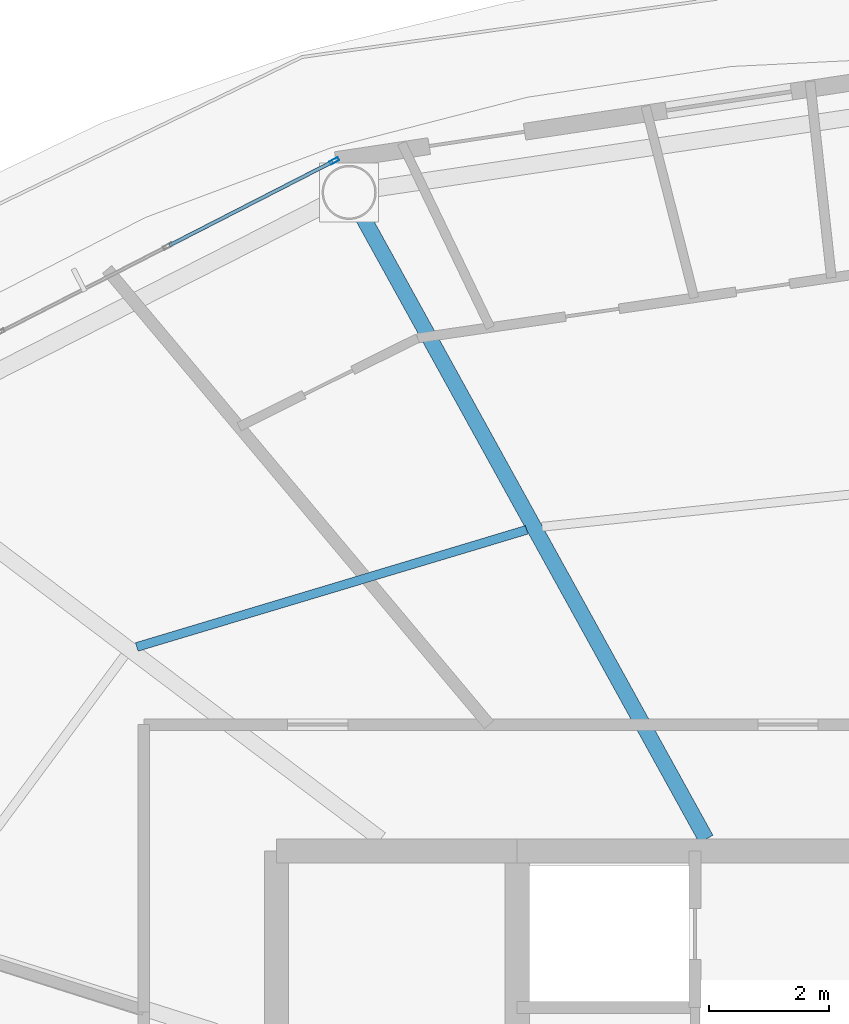
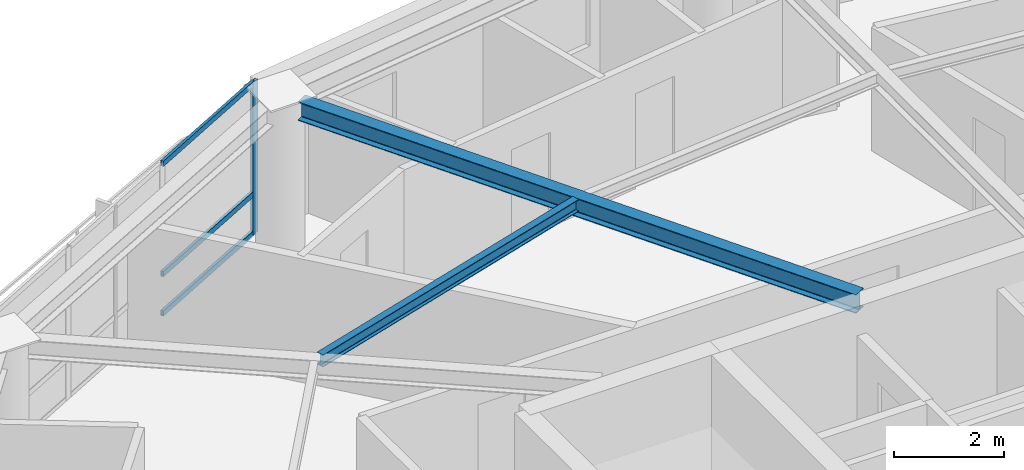
# One storey, part 9 of 23: 4 members, 2 beams, 1 element without a shape of its own.
"""IFC4 building model written with IfcOpenShell, lengths in metres."""

from ifc_helpers import new_model, si_unit, direction, frame, origin, origin_2d, place, context, subcontext, project, spatial, hollow_rectangle, i_section, extrude, material, layer, layer_set, material_profile, profile_set, type_object, element, aggregate, save


model = new_model("IFC4")

# Units and contexts
model_context = context("Model", 3, precision=1e-05, world=origin(), true_north=direction((0.0, 1.0)))
body_context = subcontext(model_context, "Body", "Model", "MODEL_VIEW")
ifc_project = project(units=[si_unit("LENGTHUNIT", "METRE"), si_unit("AREAUNIT", "SQUARE_METRE"), si_unit("VOLUMEUNIT", "CUBIC_METRE"), si_unit("PLANEANGLEUNIT", "RADIAN"), si_unit("MASSUNIT", "GRAM", prefix="KILO")], contexts=[model_context])

# Site, building, storey
site_placement = place(None, origin())
site = spatial("IfcSite", under=ifc_project, at=site_placement, CompositionType="ELEMENT")
building_placement = place(site_placement, origin())
building = spatial("IfcBuilding", under=site, at=building_placement, Name="Sarneth Arch Tower", CompositionType="ELEMENT")
storey_placement = place(building_placement, frame((0.0, 0.0, 262.199951171875)))
storey = spatial("IfcBuildingStorey", under=building, at=storey_placement, Name="L67", CompositionType="ELEMENT", Elevation=262.199951171875)

# Beams
ifc_material_1 = material(Name="Steel S355", Category="steel")
ifc_material_profile_1 = material_profile(ifc_material_1, i_section(OverallWidth=0.14794921875, OverallDepth=0.26611328125, WebThickness=0.007568359375, FlangeThickness=0.012939453125, FilletRadius=0.012939453125, at=origin_2d()), Name="W250x44.8")
ifc_profile_set_1 = profile_set([ifc_material_profile_1], Name="Steel S355")
beam_type_1 = type_object("IfcBeamType", Name="BM-JOIST-250", PredefinedType="JOIST", material=ifc_profile_set_1)
beam_1_placement = place(storey_placement, frame((41.156982421875, 54.134765625, 3.237060546875), z_axis=(-0.957726833296, -0.287679183787, 0.0), x_axis=(0.287679183787, -0.957726833296, 0.0)))
element("IfcBeam", 1, at=beam_1_placement, inside=storey, type_object=beam_type_1, Name="L67 Secondary floor joist 06", PredefinedType="JOIST", context=body_context, shape_type="SweptSolid", body=[
    extrude(i_section(OverallWidth=0.14794921875, OverallDepth=0.26611328125, WebThickness=0.007568359375, FlangeThickness=0.012939453125, FilletRadius=0.012939453125, at=origin_2d()), origin(), (0.0, 0.0, 1.0), 6.760498046875),
])
ifc_material_2 = material(Name="Steel S355", Category="steel")
ifc_material_profile_2 = material_profile(ifc_material_2, i_section(OverallWidth=0.260009765625, OverallDepth=0.4150390625, WebThickness=0.010009765625, FlangeThickness=0.016845703125, FilletRadius=0.01611328125, at=origin_2d()), Name="W410x100")
ifc_profile_set_2 = profile_set([ifc_material_profile_2], Name="Steel S355")
beam_type_2 = type_object("IfcBeamType", Name="BM-RAD-410A", PredefinedType="BEAM", material=ifc_profile_set_2)
beam_2_placement = place(storey_placement, frame((44.13623046875, 49.0, 3.16259765625), z_axis=(-0.483218265038, 0.875499919094, 0.0), x_axis=(-0.875499919094, -0.483218265038, 0.0)))
element("IfcBeam", 2, at=beam_2_placement, inside=storey, type_object=beam_type_2, Name="L67 Radial floor girder 06", PredefinedType="BEAM", context=body_context, shape_type="SweptSolid", body=[
    extrude(i_section(OverallWidth=0.260009765625, OverallDepth=0.4150390625, WebThickness=0.010009765625, FlangeThickness=0.016845703125, FilletRadius=0.01611328125, at=origin_2d()), origin(), (0.0, 0.0, 1.0), 11.8154296875),
])

# Curtain wall, members
ifc_material_3 = material(Name="Anodised aluminium Type AA25 and solar-control low-e laminated IGU", Category="aluminium")
ifc_layer = layer(ifc_material_3, 0.179931640625)
ifc_layer_set = layer_set([ifc_layer], Name="Anodised aluminium Type AA25 and solar-control low-e laminated IGU")
curtain_wall_type = type_object("IfcCurtainWallType", Name="CW-RES-HIGH", PredefinedType="NOTDEFINED", material=ifc_layer_set)
curtain_wall_placement = place(storey_placement, origin())
curtain_wall = element("IfcCurtainWall", 3, at=curtain_wall_placement, inside=storey, type_object=curtain_wall_type, Name="L67 Unitised curtain wall facet 06", PredefinedType="NOTDEFINED")
ifc_material_4 = material(Name="Anodised Aluminium 6063-T6", Category="aluminium")
ifc_material_profile_3 = material_profile(ifc_material_4, hollow_rectangle(XDim=0.06005859375, YDim=0.159912109375, WallThickness=0.00390625, at=origin_2d()), Name="AL-MULL-160x60x4")
ifc_profile_set_3 = profile_set([ifc_material_profile_3], Name="Anodised Aluminium 6063-T6")
member_type_1 = type_object("IfcMemberType", Name="CW-MULLION", PredefinedType="MULLION", material=ifc_profile_set_3)
member_1_placement = place(storey_placement, frame((37.960693359375, 60.2607421875, 0.0), z_axis=(0.0, 0.0, 1.0), x_axis=(0.455941901753, -0.890009540525, 0.0)))
member_1 = element("IfcMember", 4, at=member_1_placement, type_object=member_type_1, Name="CW-SYS-6 mullion 1", PredefinedType="MULLION", context=body_context, shape_type="SweptSolid", body=[
    extrude(hollow_rectangle(XDim=0.06005859375, YDim=0.159912109375, WallThickness=0.00390625, at=origin_2d()), origin(), (0.0, 0.0, 1.0), 3.3701171875),
])
ifc_material_5 = material(Name="Anodised Aluminium 6063-T6", Category="aluminium")
ifc_material_profile_4 = material_profile(ifc_material_5, hollow_rectangle(XDim=0.06005859375, YDim=0.1201171875, WallThickness=0.00390625, at=origin_2d()), Name="AL-TRAN-120x60x4")
ifc_profile_set_4 = profile_set([ifc_material_profile_4], Name="Anodised Aluminium 6063-T6")
member_type_2 = type_object("IfcMemberType", Name="CW-TRANSOM", PredefinedType="USERDEFINED", material=ifc_profile_set_4)
member_2_placement = place(storey_placement, frame((37.933837890625, 60.2470703125, 0.030029296875), z_axis=(-0.889973523166, -0.456012201662, 0.0), x_axis=(0.456012201662, -0.889973523166, 0.0)))
member_2 = element("IfcMember", 5, at=member_2_placement, type_object=member_type_2, Name="CW-SYS-6 transom 1.1", ObjectType="TRANSOM", PredefinedType="USERDEFINED", context=body_context, shape_type="SweptSolid", body=[
    extrude(hollow_rectangle(XDim=0.06005859375, YDim=0.1201171875, WallThickness=0.00390625, at=origin_2d()), origin(), (0.0, 0.0, 1.0), 3.044677734375),
])
member_3_placement = place(storey_placement, frame((37.933837890625, 60.2470703125, 0.900146484375), z_axis=(-0.889973523166, -0.456012201662, 0.0), x_axis=(0.456012201662, -0.889973523166, 0.0)))
member_3 = element("IfcMember", 6, at=member_3_placement, type_object=member_type_2, Name="CW-SYS-6 transom 1.2", ObjectType="TRANSOM", PredefinedType="USERDEFINED", context=body_context, shape_type="SweptSolid", body=[
    extrude(hollow_rectangle(XDim=0.06005859375, YDim=0.1201171875, WallThickness=0.00390625, at=origin_2d()), origin(), (0.0, 0.0, 1.0), 3.044677734375),
])
member_4_placement = place(storey_placement, frame((37.933837890625, 60.2470703125, 3.340087890625), z_axis=(-0.889973523166, -0.456012201662, 0.0), x_axis=(0.456012201662, -0.889973523166, 0.0)))
member_4 = element("IfcMember", 7, at=member_4_placement, type_object=member_type_2, Name="CW-SYS-6 transom 1.3", ObjectType="TRANSOM", PredefinedType="USERDEFINED", context=body_context, shape_type="SweptSolid", body=[
    extrude(hollow_rectangle(XDim=0.06005859375, YDim=0.1201171875, WallThickness=0.00390625, at=origin_2d()), origin(), (0.0, 0.0, 1.0), 3.044677734375),
])
aggregate(curtain_wall, [member_1, member_2, member_3, member_4])

save(model, "model.ifc")
